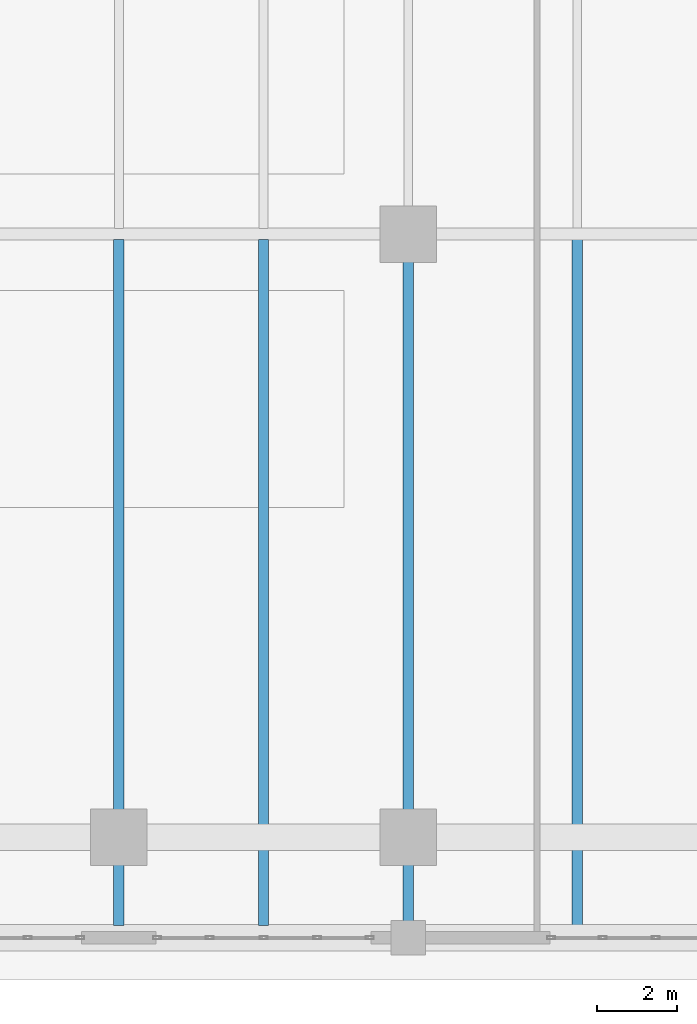
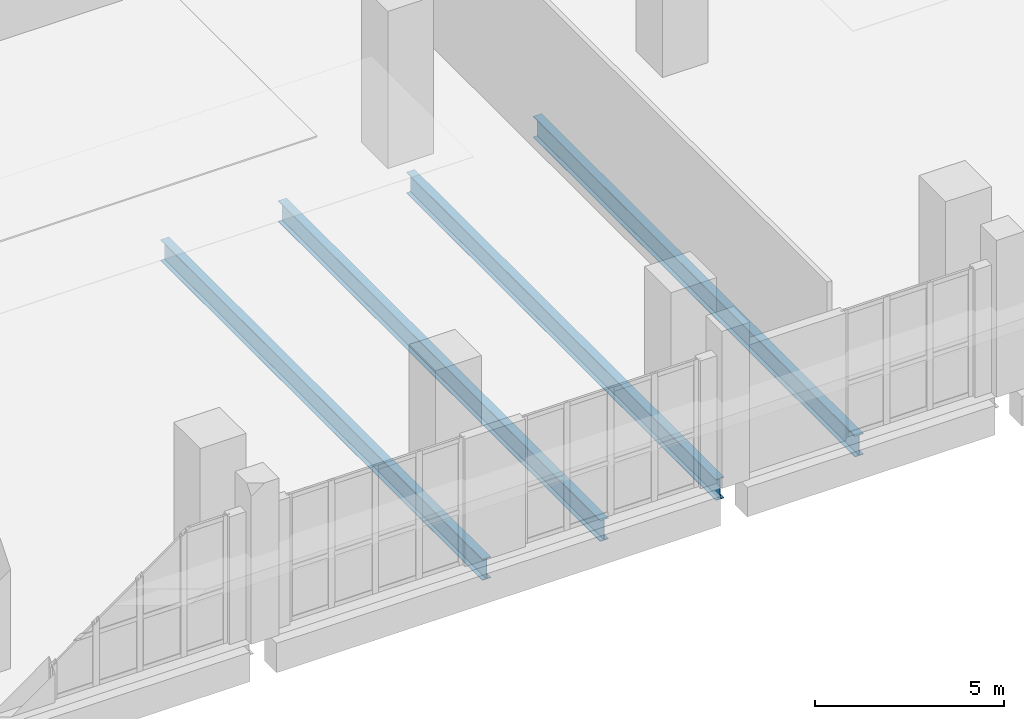
# One storey, part 10 of 25: 4 beams.
"""IFC4 building model written with IfcOpenShell, lengths in metres."""

from ifc_helpers import new_model, si_unit, direction, frame, origin, origin_2d, place, context, subcontext, project, spatial, i_section, extrude, material, material_profile, profile_set, type_object, element, save


model = new_model("IFC4")

# Units and contexts
model_context = context("Model", 3, precision=1e-05, world=origin(), true_north=direction((0.0, 1.0)))
body_context = subcontext(model_context, "Body", "Model", "MODEL_VIEW")
ifc_project = project(units=[si_unit("LENGTHUNIT", "METRE"), si_unit("AREAUNIT", "SQUARE_METRE"), si_unit("VOLUMEUNIT", "CUBIC_METRE"), si_unit("PLANEANGLEUNIT", "RADIAN"), si_unit("MASSUNIT", "GRAM", prefix="KILO")], contexts=[model_context])

# Site, building, storey
site_placement = place(None, origin())
site = spatial("IfcSite", under=ifc_project, at=site_placement, CompositionType="ELEMENT")
building_placement = place(site_placement, origin())
building = spatial("IfcBuilding", under=site, at=building_placement, Name="Kaelvorn Grand Hotel", CompositionType="ELEMENT")
storey_placement = place(building_placement, frame((0.0, 0.0, 14.0)))
storey = spatial("IfcBuildingStorey", under=building, at=storey_placement, Name="L02", CompositionType="ELEMENT", Elevation=14.0)

# Beams
ifc_material = material(Name="Steel S355", Category="steel")
ifc_material_profile = material_profile(ifc_material, i_section(OverallWidth=0.25439453125, OverallDepth=0.6875, WebThickness=0.01318359375, FlangeThickness=0.02099609375, FilletRadius=0.01513671875, at=origin_2d()), Name="UB 686x254x152")
ifc_profile_set = profile_set([ifc_material_profile], Name="Steel S355")
beam_type = type_object("IfcBeamType", Name="BM-J-UB686-S355", PredefinedType="JOIST", material=ifc_profile_set)
for number, where, z_axis, x_axis, name in (
    (1, (30.60009765625, -2.18994140625, -0.663818359375), (0.0, 1.0, 0.0), (-1.0, 0.0, 0.0), "L02 Composite Floor Joist JS-09"),
    (2, (34.199951171875, -2.18994140625, -0.663818359375), (0.0, 1.0, 0.0), (-1.0, 0.0, 0.0), "L02 Composite Floor Joist JS-10"),
):
    element("IfcBeam", number, at=place(storey_placement, frame(where, z_axis=z_axis, x_axis=x_axis)), inside=storey, type_object=beam_type, Name=name, PredefinedType="JOIST", context=body_context, shape_type="SweptSolid", body=[
        extrude(i_section(OverallWidth=0.25439453125, OverallDepth=0.6875, WebThickness=0.01318359375, FlangeThickness=0.02099609375, FilletRadius=0.01513671875, at=origin_2d()), origin(), (0.0, 0.0, 1.0), 17.054931640625),
    ])
beam_1_placement = place(storey_placement, frame((37.800048828125, -2.090087890625, -0.663818359375), z_axis=(0.0, 1.0, 0.0), x_axis=(-1.0, 0.0, 0.0)))
element("IfcBeam", 3, at=beam_1_placement, inside=storey, type_object=beam_type, Name="L02 Composite Floor Joist JS-11", PredefinedType="JOIST", context=body_context, shape_type="SweptSolid", body=[
    extrude(i_section(OverallWidth=0.25439453125, OverallDepth=0.6875, WebThickness=0.01318359375, FlangeThickness=0.02099609375, FilletRadius=0.01513671875, at=origin_2d()), origin(), (0.0, 0.0, 1.0), 16.405029296875),
])
beam_2_placement = place(storey_placement, frame((42.0, -2.18994140625, -0.663818359375), z_axis=(0.0, 1.0, 0.0), x_axis=(-1.0, 0.0, 0.0)))
element("IfcBeam", 4, at=beam_2_placement, inside=storey, type_object=beam_type, Name="L02 Composite Floor Joist JS-12", PredefinedType="JOIST", context=body_context, shape_type="SweptSolid", body=[
    extrude(i_section(OverallWidth=0.25439453125, OverallDepth=0.6875, WebThickness=0.01318359375, FlangeThickness=0.02099609375, FilletRadius=0.01513671875, at=origin_2d()), origin(), (0.0, 0.0, 1.0), 17.054931640625),
])

save(model, "model.ifc")
